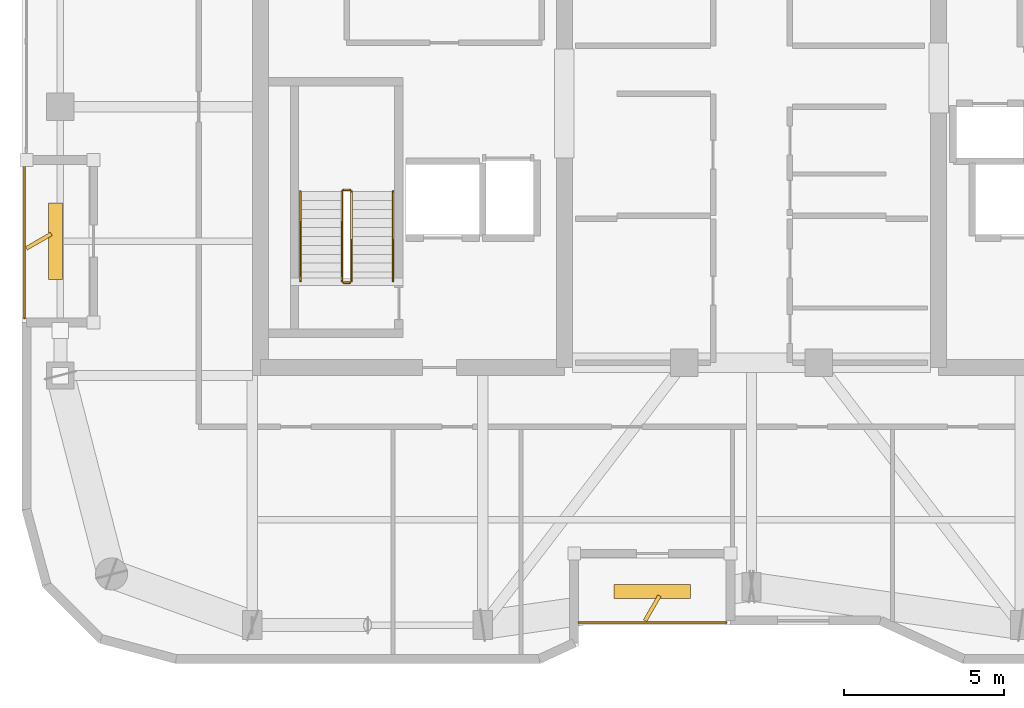
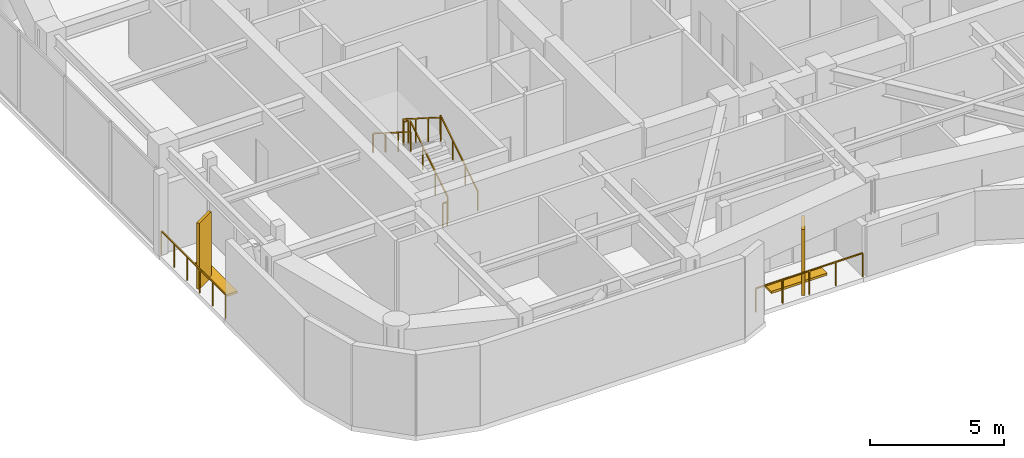
# One storey, part 14 of 15: 8 railings, 4 shading devices.
"""IFC4 building model written with IfcOpenShell, lengths in metres."""

from ifc_helpers import new_model, si_unit, direction, frame, origin, origin_2d, place, context, subcontext, project, spatial, rectangle, extrude, material, type_object, element, save


model = new_model("IFC4")

# Units and contexts
model_context = context("Model", 3, precision=1e-05, world=origin(), true_north=direction((0.0, 1.0)))
body_context = subcontext(model_context, "Body", "Model", "MODEL_VIEW")
ifc_project = project(units=[si_unit("LENGTHUNIT", "METRE"), si_unit("AREAUNIT", "SQUARE_METRE"), si_unit("VOLUMEUNIT", "CUBIC_METRE"), si_unit("PLANEANGLEUNIT", "RADIAN"), si_unit("MASSUNIT", "GRAM", prefix="KILO")], contexts=[model_context])

# Site, building, storey
site_placement = place(None, origin())
site = spatial("IfcSite", under=ifc_project, at=site_placement, CompositionType="ELEMENT")
building_placement = place(site_placement, origin())
building = spatial("IfcBuilding", under=site, at=building_placement, Name="Kiyonajd Concourse Tower", CompositionType="ELEMENT")
storey_placement = place(building_placement, frame((0.0, 0.0, 321.89990234375)))
storey = spatial("IfcBuildingStorey", under=building, at=storey_placement, Name="L81", CompositionType="ELEMENT", Elevation=321.89990234375)

# Railings
ifc_material_1 = material(Name="Thermally Broken Anodised Aluminium", Category="aluminium")
railing_type_1 = type_object("IfcRailingType", Name="RL-GRD-LOG", PredefinedType="GUARDRAIL", material=ifc_material_1)
railing_1_placement = place(storey_placement, frame((42.60009765625, 19.8798828125, 0.0)))
element("IfcRailing", 1, at=railing_1_placement, inside=storey, type_object=railing_type_1, Name="L81 Engawa Loggia Perimeter Guard LOG-S", PredefinedType="GUARDRAIL", context=body_context, shape_type="SweptSolid", body=[
    extrude(rectangle(XDim=0.048095703125, YDim=0.048095703125, at=origin_2d()), frame((0.0, 0.0, 1.076171875), z_axis=(1.0, 0.0, 0.0), x_axis=(0.0, 1.0, 0.0)), (0.0, 0.0, 1.0), 4.599853515625),
    extrude(rectangle(XDim=0.0419921875, YDim=0.0419921875, at=origin_2d()), origin(), (0.0, 0.0, 1.0), 1.052001953125),
    extrude(rectangle(XDim=0.0419921875, YDim=0.0419921875, at=origin_2d()), frame((1.14990234375, 0.0, 0.0)), (0.0, 0.0, 1.0), 1.052001953125),
    extrude(rectangle(XDim=0.0419921875, YDim=0.0419921875, at=origin_2d()), frame((2.2998046875, 0.0, 0.0)), (0.0, 0.0, 1.0), 1.052001953125),
    extrude(rectangle(XDim=0.0419921875, YDim=0.0419921875, at=origin_2d()), frame((3.449951171875, 0.0, 0.0)), (0.0, 0.0, 1.0), 1.052001953125),
    extrude(rectangle(XDim=0.0419921875, YDim=0.0419921875, at=origin_2d()), frame((4.599853515625, 0.0, 0.0)), (0.0, 0.0, 1.0), 1.052001953125),
])
railing_2_placement = place(storey_placement, frame((25.280029296875, 34.199951171875, 0.0)))
element("IfcRailing", 2, at=railing_2_placement, inside=storey, type_object=railing_type_1, Name="L81 Engawa Loggia Perimeter Guard LOG-W", PredefinedType="GUARDRAIL", context=body_context, shape_type="SweptSolid", body=[
    extrude(rectangle(XDim=0.048095703125, YDim=0.048095703125, at=origin_2d()), frame((0.0, 0.0, 1.076171875), z_axis=(0.0, -1.0, 0.0), x_axis=(1.0, 0.0, 0.0)), (0.0, 0.0, 1.0), 4.800048828125),
    extrude(rectangle(XDim=0.0419921875, YDim=0.0419921875, at=origin_2d()), origin(), (0.0, 0.0, 1.0), 1.052001953125),
    extrude(rectangle(XDim=0.0419921875, YDim=0.0419921875, at=origin_2d()), frame((0.0, -0.9599609375, 0.0)), (0.0, 0.0, 1.0), 1.052001953125),
    extrude(rectangle(XDim=0.0419921875, YDim=0.0419921875, at=origin_2d()), frame((0.0, -1.919921875, 0.0)), (0.0, 0.0, 1.0), 1.052001953125),
    extrude(rectangle(XDim=0.0419921875, YDim=0.0419921875, at=origin_2d()), frame((0.0, -2.880126953125, 0.0)), (0.0, 0.0, 1.0), 1.052001953125),
    extrude(rectangle(XDim=0.0419921875, YDim=0.0419921875, at=origin_2d()), frame((0.0, -3.840087890625, 0.0)), (0.0, 0.0, 1.0), 1.052001953125),
    extrude(rectangle(XDim=0.0419921875, YDim=0.0419921875, at=origin_2d()), frame((0.0, -4.800048828125, 0.0)), (0.0, 0.0, 1.0), 1.052001953125),
])
ifc_material_2 = material(Name="Steel ASTM A500 Grade C", Category="steel")
railing_type_2 = type_object("IfcRailingType", Name="RL-GRD-STR", PredefinedType="GUARDRAIL", material=ifc_material_2)
railing_3_placement = place(storey_placement, frame((35.5, 30.550048828125, 0.177490234375)))
element("IfcRailing", 3, at=railing_3_placement, inside=storey, type_object=railing_type_2, Name="L81 ST1 stair guard 1", PredefinedType="GUARDRAIL", context=body_context, shape_type="SweptSolid", body=[
    extrude(rectangle(XDim=0.048095703125, YDim=0.048095703125, at=origin_2d()), frame((0.0, 0.0, 1.076171875), z_axis=(0.0, 0.844908973607, 0.534910110503), x_axis=(-1.0, 0.0, 0.0)), (0.0, 0.0, 1.0), 3.31396484375),
    extrude(rectangle(XDim=0.0419921875, YDim=0.0419921875, at=origin_2d()), origin(), (0.0, 0.0, 1.0), 1.052001953125),
    extrude(rectangle(XDim=0.0419921875, YDim=0.0419921875, at=origin_2d()), frame((0.0, 0.933349609375, 0.5908203125)), (0.0, 0.0, 1.0), 1.052001953125),
    extrude(rectangle(XDim=0.0419921875, YDim=0.0419921875, at=origin_2d()), frame((0.0, 1.86669921875, 1.181884765625)), (0.0, 0.0, 1.0), 1.052001953125),
    extrude(rectangle(XDim=0.0419921875, YDim=0.0419921875, at=origin_2d()), frame((0.0, 2.800048828125, 1.772705078125)), (0.0, 0.0, 1.0), 1.052001953125),
])
railing_4_placement = place(storey_placement, frame((35.449951171875, 33.39990234375, 1.9501953125)))
element("IfcRailing", 4, at=railing_4_placement, inside=storey, type_object=railing_type_2, Name="L81 ST1 stair guard 2", PredefinedType="GUARDRAIL", context=body_context, shape_type="SweptSolid", body=[
    extrude(rectangle(XDim=0.048095703125, YDim=0.048095703125, at=origin_2d()), frame((0.0, 0.0, 1.076171875), z_axis=(-1.0, 0.0, 0.0), x_axis=(0.0, -1.0, 0.0)), (0.0, 0.0, 1.0), 0.199951171875),
    extrude(rectangle(XDim=0.0419921875, YDim=0.0419921875, at=origin_2d()), origin(), (0.0, 0.0, 1.0), 1.052001953125),
    extrude(rectangle(XDim=0.0419921875, YDim=0.0419921875, at=origin_2d()), frame((-0.199951171875, 0.0, 0.0)), (0.0, 0.0, 1.0), 1.052001953125),
])
railing_5_placement = place(storey_placement, frame((35.199951171875, 33.35009765625, 2.12744140625)))
element("IfcRailing", 5, at=railing_5_placement, inside=storey, type_object=railing_type_2, Name="L81 ST1 stair guard 3", PredefinedType="GUARDRAIL", context=body_context, shape_type="SweptSolid", body=[
    extrude(rectangle(XDim=0.048095703125, YDim=0.048095703125, at=origin_2d()), frame((0.0, 0.0, 1.076171875), z_axis=(0.0, -0.844908973607, 0.534910110503), x_axis=(1.0, 0.0, 0.0)), (0.0, 0.0, 1.0), 3.31396484375),
    extrude(rectangle(XDim=0.0419921875, YDim=0.0419921875, at=origin_2d()), origin(), (0.0, 0.0, 1.0), 1.052001953125),
    extrude(rectangle(XDim=0.0419921875, YDim=0.0419921875, at=origin_2d()), frame((0.0, -0.933349609375, 0.5908203125)), (0.0, 0.0, 1.0), 1.052001953125),
    extrude(rectangle(XDim=0.0419921875, YDim=0.0419921875, at=origin_2d()), frame((0.0, -1.86669921875, 1.181884765625)), (0.0, 0.0, 1.0), 1.052001953125),
    extrude(rectangle(XDim=0.0419921875, YDim=0.0419921875, at=origin_2d()), frame((0.0, -2.800048828125, 1.772705078125)), (0.0, 0.0, 1.0), 1.052001953125),
])
railing_6_placement = place(storey_placement, frame((35.449951171875, 30.5, 0.0)))
element("IfcRailing", 6, at=railing_6_placement, inside=storey, type_object=railing_type_2, Name="L81 ST1 stair guard 4", PredefinedType="GUARDRAIL", context=body_context, shape_type="SweptSolid", body=[
    extrude(rectangle(XDim=0.048095703125, YDim=0.048095703125, at=origin_2d()), frame((0.0, 0.0, 1.076171875), z_axis=(-1.0, 0.0, 0.0), x_axis=(0.0, -1.0, 0.0)), (0.0, 0.0, 1.0), 0.199951171875),
    extrude(rectangle(XDim=0.0419921875, YDim=0.0419921875, at=origin_2d()), origin(), (0.0, 0.0, 1.0), 1.052001953125),
    extrude(rectangle(XDim=0.0419921875, YDim=0.0419921875, at=origin_2d()), frame((-0.199951171875, 0.0, 0.0)), (0.0, 0.0, 1.0), 1.052001953125),
])
ifc_material_3 = material(Name="Brushed Stainless Steel Cab Assembly", Category="steel")
railing_type_3 = type_object("IfcRailingType", Name="RL-HND-900", PredefinedType="HANDRAIL", material=ifc_material_3)
railing_7_placement = place(storey_placement, frame((36.800048828125, 30.550048828125, 0.177490234375)))
element("IfcRailing", 7, at=railing_7_placement, inside=storey, type_object=railing_type_3, Name="L81 ST1 stair handrail 1", PredefinedType="HANDRAIL", context=body_context, shape_type="SweptSolid", body=[
    extrude(rectangle(XDim=0.048095703125, YDim=0.048095703125, at=origin_2d()), frame((0.0, 0.0, 0.8759765625), z_axis=(0.0, 0.844908973607, 0.534910110503), x_axis=(-1.0, 0.0, 0.0)), (0.0, 0.0, 1.0), 3.31396484375),
    extrude(rectangle(XDim=0.0419921875, YDim=0.0419921875, at=origin_2d()), origin(), (0.0, 0.0, 1.0), 0.851806640625),
    extrude(rectangle(XDim=0.0419921875, YDim=0.0419921875, at=origin_2d()), frame((0.0, 0.933349609375, 0.5908203125)), (0.0, 0.0, 1.0), 0.851806640625),
    extrude(rectangle(XDim=0.0419921875, YDim=0.0419921875, at=origin_2d()), frame((0.0, 1.86669921875, 1.181884765625)), (0.0, 0.0, 1.0), 0.851806640625),
    extrude(rectangle(XDim=0.0419921875, YDim=0.0419921875, at=origin_2d()), frame((0.0, 2.800048828125, 1.772705078125)), (0.0, 0.0, 1.0), 0.851806640625),
])
railing_8_placement = place(storey_placement, frame((33.89990234375, 33.35009765625, 2.12744140625)))
element("IfcRailing", 8, at=railing_8_placement, inside=storey, type_object=railing_type_3, Name="L81 ST1 stair handrail 2", PredefinedType="HANDRAIL", context=body_context, shape_type="SweptSolid", body=[
    extrude(rectangle(XDim=0.048095703125, YDim=0.048095703125, at=origin_2d()), frame((0.0, 0.0, 0.8759765625), z_axis=(0.0, -0.844908973607, 0.534910110503), x_axis=(1.0, 0.0, 0.0)), (0.0, 0.0, 1.0), 3.31396484375),
    extrude(rectangle(XDim=0.0419921875, YDim=0.0419921875, at=origin_2d()), origin(), (0.0, 0.0, 1.0), 0.851806640625),
    extrude(rectangle(XDim=0.0419921875, YDim=0.0419921875, at=origin_2d()), frame((0.0, -0.933349609375, 0.5908203125)), (0.0, 0.0, 1.0), 0.851806640625),
    extrude(rectangle(XDim=0.0419921875, YDim=0.0419921875, at=origin_2d()), frame((0.0, -1.86669921875, 1.181884765625)), (0.0, 0.0, 1.0), 0.851806640625),
    extrude(rectangle(XDim=0.0419921875, YDim=0.0419921875, at=origin_2d()), frame((0.0, -2.800048828125, 1.772705078125)), (0.0, 0.0, 1.0), 0.851806640625),
])

# Shading devices
ifc_material_4 = material(Name="Precast concrete C50/60", Category="concrete")
shading_device_type_1 = type_object("IfcShadingDeviceType", Name="SH-FIN-900", PredefinedType="USERDEFINED", material=ifc_material_4)
for number, where, z_axis, x_axis, name in (
    (9, (44.89990234375, 20.330078125, 0.0), (0.0, 0.0, 1.0), (0.5, 0.866025403784, 0.0), "L81 Angled Koshi Solar Fin LOG-S"),
    (10, (25.72998046875, 31.800048828125, 0.0), (0.0, 0.0, 1.0), (0.866025403784, 0.5, 0.0), "L81 Angled Koshi Solar Fin LOG-W"),
):
    element("IfcShadingDevice", number, at=place(storey_placement, frame(where, z_axis=z_axis, x_axis=x_axis)), inside=storey, type_object=shading_device_type_1, Name=name, ObjectType="FIN", PredefinedType="USERDEFINED", context=body_context, shape_type="SweptSolid", body=[
        extrude(rectangle(XDim=0.89990234375, YDim=0.1201171875, at=origin_2d()), origin(), (0.0, 0.0, 1.0), 3.0),
    ])
shading_device_type_2 = type_object("IfcShadingDeviceType", Name="SH-LVR-600", PredefinedType="JALOUSIE", material=ifc_material_1)
for number, where, z_axis, x_axis, name in (
    (11, (44.89990234375, 20.85009765625, 0.0), (0.0, 0.0, 1.0), (1.0, 0.0, 0.0), "L81 Loggia Threshold Louver LOG-S"),
    (12, (26.25, 31.800048828125, 0.0), (0.0, 0.0, 1.0), (0.0, 1.0, 0.0), "L81 Loggia Threshold Louver LOG-W"),
):
    element("IfcShadingDevice", number, at=place(storey_placement, frame(where, z_axis=z_axis, x_axis=x_axis)), inside=storey, type_object=shading_device_type_2, Name=name, PredefinedType="JALOUSIE", context=body_context, shape_type="SweptSolid", body=[
        extrude(rectangle(XDim=2.39990234375, YDim=0.449951171875, at=origin_2d()), origin(), (0.0, 0.0, 1.0), 0.10009765625),
    ])

save(model, "model.ifc")
